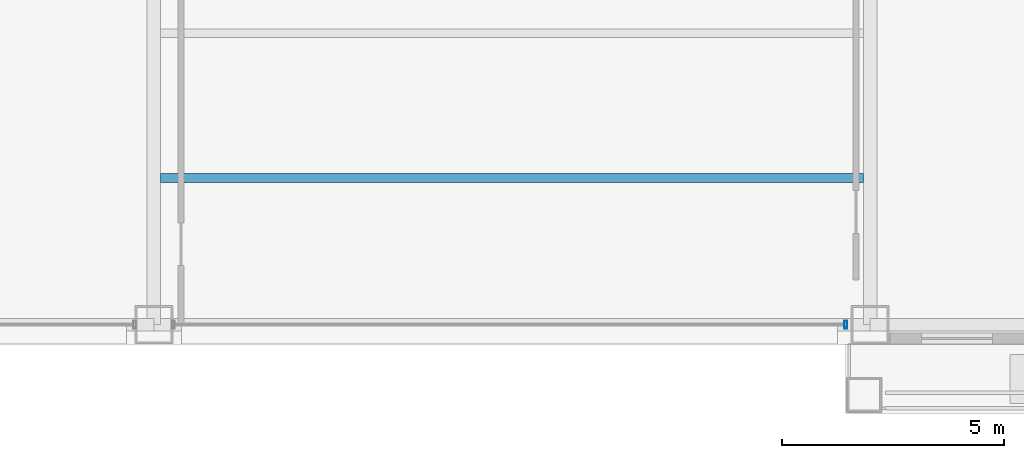
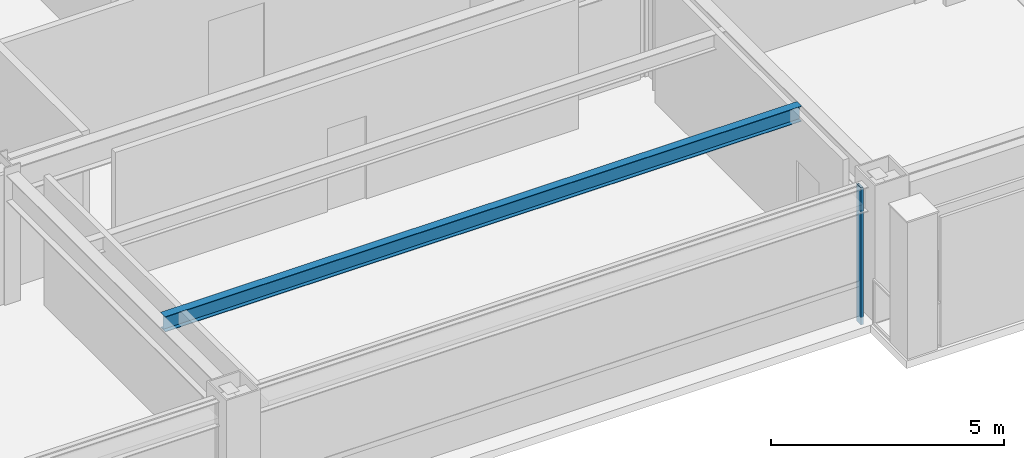
# One storey, part 8 of 34: 1 beam, 1 member, 1 element without a shape of its own.
"""IFC4 building model written with IfcOpenShell, lengths in metres."""

from ifc_helpers import new_model, si_unit, direction, frame, origin, origin_2d, place, context, subcontext, project, spatial, hollow_rectangle, i_section, extrude, material, layer, layer_set, material_profile, profile_set, type_object, element, aggregate, save


model = new_model("IFC4")

# Units and contexts
model_context = context("Model", 3, precision=1e-05, world=origin(), true_north=direction((0.0, 1.0)))
body_context = subcontext(model_context, "Body", "Model", "MODEL_VIEW")
ifc_project = project(units=[si_unit("LENGTHUNIT", "METRE"), si_unit("AREAUNIT", "SQUARE_METRE"), si_unit("VOLUMEUNIT", "CUBIC_METRE"), si_unit("PLANEANGLEUNIT", "RADIAN"), si_unit("MASSUNIT", "GRAM", prefix="KILO")], contexts=[model_context])

# Site, building, storey
site_placement = place(None, origin())
site = spatial("IfcSite", under=ifc_project, at=site_placement, CompositionType="ELEMENT")
building_placement = place(site_placement, origin())
building = spatial("IfcBuilding", under=site, at=building_placement, Name="Brelmoor Portico Tower", CompositionType="ELEMENT")
storey_placement = place(building_placement, frame((0.0, 0.0, 99.0)))
storey = spatial("IfcBuildingStorey", under=building, at=storey_placement, Name="L25", CompositionType="ELEMENT", Elevation=99.0)

# Beam
ifc_material_1 = material(Name="Steel Q355B", Category="steel")
ifc_material_profile_1 = material_profile(ifc_material_1, i_section(OverallWidth=0.199951171875, OverallDepth=0.39990234375, WebThickness=0.008056640625, FlangeThickness=0.012939453125, at=origin_2d()), Name="HN 400x200x8x13")
ifc_profile_set_1 = profile_set([ifc_material_profile_1], Name="Steel Q355B")
beam_type = type_object("IfcBeamType", Name="BM-JS-400", PredefinedType="JOIST", material=ifc_profile_set_1)
beam_placement = place(storey_placement, frame((-7.89990234375, -16.25, 3.199951171875), z_axis=(1.0, 0.0, 0.0), x_axis=(0.0, 1.0, 0.0)))
element("IfcBeam", 1, at=beam_placement, inside=storey, type_object=beam_type, Name="L25 Secondary Composite Joist JS-C01", PredefinedType="JOIST", context=body_context, shape_type="SweptSolid", body=[
    extrude(i_section(OverallWidth=0.199951171875, OverallDepth=0.39990234375, WebThickness=0.008056640625, FlangeThickness=0.012939453125, at=origin_2d()), origin(), (0.0, 0.0, 1.0), 15.7998046875),
])

# Curtain wall, member
ifc_material_2 = material(Name="Anodised Aluminium Alloy 6063-T6", Category="aluminium")
ifc_layer = layer(ifc_material_2, 0.179931640625)
ifc_layer_set = layer_set([ifc_layer], Name="Anodised Aluminium Alloy 6063-T6")
curtain_wall_type = type_object("IfcCurtainWallType", Name="CW-TOWER-Z2", PredefinedType="NOTDEFINED", material=ifc_layer_set)
curtain_wall_placement = place(storey_placement, origin())
curtain_wall = element("IfcCurtainWall", 2, at=curtain_wall_placement, inside=storey, type_object=curtain_wall_type, Name="L25 Curtain Wall CW-L25-1L-3", PredefinedType="NOTDEFINED")
ifc_material_profile_2 = material_profile(ifc_material_2, hollow_rectangle(XDim=0.06494140625, YDim=0.179931640625, WallThickness=0.00390625, at=origin_2d()), Name="ALU MULLION 65x180")
ifc_profile_set_2 = profile_set([ifc_material_profile_2], Name="Anodised Aluminium Alloy 6063-T6")
member_type = type_object("IfcMemberType", Name="MB-CW-MULL-180", PredefinedType="MULLION", material=ifc_profile_set_2)
member_placement = place(storey_placement, frame((7.5, -19.550048828125, -0.199951171875), z_axis=(0.0, 0.0, 1.0), x_axis=(1.0, 0.0, 0.0)))
member = element("IfcMember", 3, at=member_placement, type_object=member_type, Name="CW-L25-1L-3 Mullion 01", PredefinedType="MULLION", context=body_context, shape_type="SweptSolid", body=[
    extrude(hollow_rectangle(XDim=0.06494140625, YDim=0.179931640625, WallThickness=0.00390625, at=origin_2d()), origin(), (0.0, 0.0, 1.0), 3.599853515625),
])
aggregate(curtain_wall, [member])

save(model, "model.ifc")
